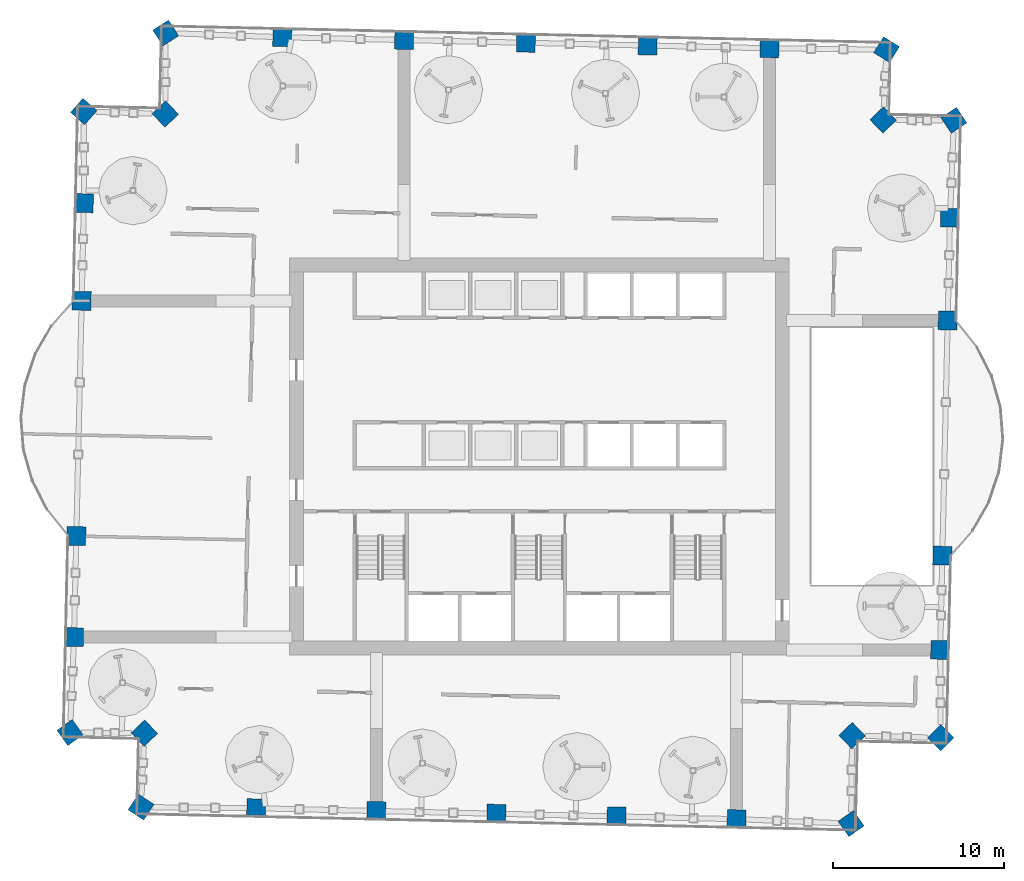
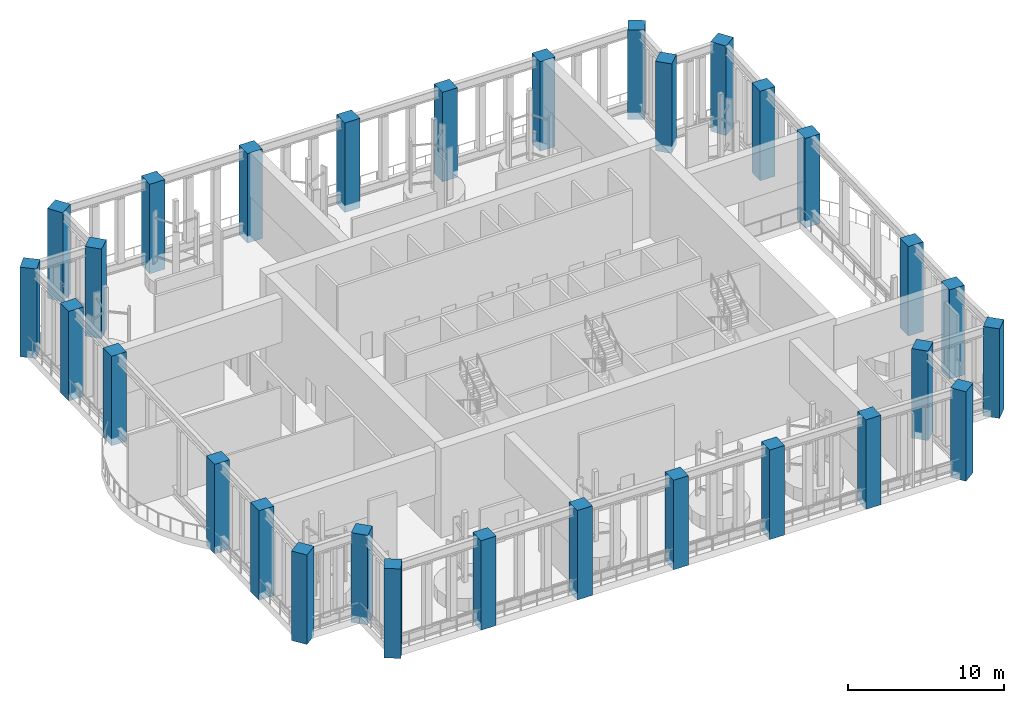
# One storey, part 1 of 33: 30 columns.
"""IFC4 building model written with IfcOpenShell, lengths in metres."""

from ifc_helpers import new_model, si_unit, direction, frame, origin, origin_2d, place, context, subcontext, project, spatial, rectangle, extrude, material, material_profile, profile_set, type_object, element, save


model = new_model("IFC4")

# Units and contexts
model_context = context("Model", 3, precision=1e-05, world=origin(), true_north=direction((0.0, 1.0)))
body_context = subcontext(model_context, "Body", "Model", "MODEL_VIEW")
ifc_project = project(units=[si_unit("LENGTHUNIT", "METRE"), si_unit("AREAUNIT", "SQUARE_METRE"), si_unit("VOLUMEUNIT", "CUBIC_METRE"), si_unit("PLANEANGLEUNIT", "RADIAN"), si_unit("MASSUNIT", "GRAM", prefix="KILO")], contexts=[model_context])

# Site, building, storey
site_placement = place(None, origin())
site = spatial("IfcSite", under=ifc_project, at=site_placement, CompositionType="ELEMENT")
building_placement = place(site_placement, origin())
building = spatial("IfcBuilding", under=site, at=building_placement, Name="Mangrove Gate Tower", CompositionType="ELEMENT")
storey_placement = place(building_placement, frame((0.0, 0.0, 219.5)))
storey = spatial("IfcBuildingStorey", under=building, at=storey_placement, Name="L56", CompositionType="ELEMENT", Elevation=219.5)

# Columns
ifc_material = material(Name="Concrete C60/75", Category="concrete")
ifc_material_profile = material_profile(ifc_material, rectangle(XDim=1.10009765625, YDim=1.10009765625, at=origin_2d()))
ifc_profile_set = profile_set([ifc_material_profile], Name="Concrete C60/75")
column_type = type_object("IfcColumnType", Name="Column RC 1100x1100 C60/75", PredefinedType="COLUMN", material=ifc_profile_set)
for number, where, z_axis, x_axis, name in (
    (1, (-27.071044921875, -4.6494140625, -0.550048828125), (0.0, 0.0, 1.0), (-0.02268213383, -0.999742727308, 0.0), "Column L56 W05"),
    (2, (-27.205078125, -10.5595703125, -0.550048828125), (0.0, 0.0, 1.0), (-0.022750219004, -0.999741180274, 0.0), "Column L56 W06"),
    (3, (-27.44140625, -16.139892578125, -0.550048828125), (0.0, 0.0, 1.0), (0.578578159923, -0.815626944663, 0.0), "Column L56 W07"),
    (4, (-23.09326171875, -16.177978515625, -0.550048828125), (0.0, 0.0, 1.0), (0.690854032309, -0.722994264183, 0.0), "Column L56 W08"),
    (5, (-23.28857421875, -20.49755859375, -0.550048828125), (0.0, 0.0, 1.0), (0.835228982997, -0.549902305834, 0.0), "Column L56 S01"),
    (6, (-16.555419921875, -20.566162109375, -0.550048828125), (0.0, 0.0, 1.0), (0.999742166043, -0.022706858776, 0.0), "Column L56 S02"),
    (7, (-9.533447265625, -20.72607421875, -0.550048828125), (0.0, 0.0, 1.0), (0.999742129581, -0.022708464065, 0.0), "Column L56 S03"),
    (8, (-2.511474609375, -20.88525390625, -0.550048828125), (0.0, 0.0, 1.0), (0.999743742918, -0.022637325283, 0.0), "Column L56 S04"),
    (9, (4.510498046875, -21.044189453125, -0.550048828125), (0.0, 0.0, 1.0), (0.999742129581, -0.022708464065, 0.0), "Column L56 S05"),
    (10, (11.532470703125, -21.2041015625, -0.550048828125), (0.0, 0.0, 1.0), (0.999742166043, -0.022706858776, 0.0), "Column L56 S06"),
    (11, (18.225830078125, -21.463623046875, -0.550048828125), (0.0, 0.0, 1.0), (0.817005906944, 0.576629298612, 0.0), "Column L56 S07"),
    (12, (18.281005859375, -16.31640625, -0.550048828125), (0.0, 0.0, 1.0), (0.722904645442, 0.690947808158, 0.0), "Column L56 E01"),
    (13, (23.467529296875, -16.445556640625, -0.550048828125), (0.0, 0.0, 1.0), (0.702472771276, 0.711710619294, 0.0), "Column L56 E02"),
    (14, (23.43408203125, -11.30859375, -0.550048828125), (0.0, 0.0, 1.0), (0.022678138054, 0.999742817956, 0.0), "Column L56 E03"),
    (15, (23.55908203125, -5.798583984375, -0.550048828125), (0.0, 0.0, 1.0), (0.022686024913, 0.999742639019, 0.0), "Column L56 E04"),
    (16, (23.87109375, 7.949462890625, -0.550048828125), (0.0, 0.0, 1.0), (0.022719107826, 0.999741887759, 0.0), "Column L56 E05"),
    (17, (24.008056640625, 13.95947265625, -0.550048828125), (0.0, 0.0, 1.0), (0.022704398496, 0.99974222192, 0.0), "Column L56 E06"),
    (18, (24.236083984375, 19.6533203125, -0.550048828125), (0.0, 0.0, 1.0), (-0.553976303186, 0.832532435109, 0.0), "Column L56 E07"),
    (19, (20.097412109375, 19.673095703125, -0.550048828125), (0.0, 0.0, 1.0), (-0.69093208713, 0.722919671176, 0.0), "Column L56 E08"),
    (20, (20.300048828125, 23.78466796875, -0.550048828125), (0.0, 0.0, 1.0), (-0.849671924518, 0.527311692157, 0.0), "Column L56 N01"),
    (21, (13.45556640625, 23.8642578125, -0.550048828125), (0.0, 0.0, 1.0), (-0.999741400599, 0.022740534932, 0.0), "Column L56 N02"),
    (22, (6.33349609375, 24.026123046875, -0.550048828125), (0.0, 0.0, 1.0), (-0.999742993665, 0.022670390785, 0.0), "Column L56 N03"),
    (23, (-0.78857421875, 24.187255859375, -0.550048828125), (0.0, 0.0, 1.0), (-0.999742993665, 0.022670390785, 0.0), "Column L56 N04"),
    (24, (-7.910400390625, 24.34912109375, -0.550048828125), (0.0, 0.0, 1.0), (-0.999742993665, 0.022670390785, 0.0), "Column L56 N05"),
    (25, (-15.032470703125, 24.51025390625, -0.550048828125), (0.0, 0.0, 1.0), (-0.999742993665, 0.022670390785, 0.0), "Column L56 N06"),
    (26, (-21.84521484375, 24.759033203125, -0.550048828125), (0.0, 0.0, 1.0), (-0.841786903105, -0.539809975603, 0.0), "Column L56 N07"),
    (27, (-21.87109375, 20.025390625, -0.550048828125), (0.0, 0.0, 1.0), (-0.722980880026, -0.690868038859, 0.0), "Column L56 W01"),
    (28, (-26.636962890625, 20.168701171875, -0.550048828125), (0.0, 0.0, 1.0), (-0.660570488369, -0.750764030769, 0.0), "Column L56 W02"),
    (29, (-26.630126953125, 14.80859375, -0.550048828125), (0.0, 0.0, 1.0), (-0.022671699445, -0.999742963988, 0.0), "Column L56 W03"),
    (30, (-26.759033203125, 9.0986328125, -0.550048828125), (0.0, 0.0, 1.0), (-0.022658386004, -0.999743265816, 0.0), "Column L56 W04"),
):
    element("IfcColumn", number, at=place(storey_placement, frame(where, z_axis=z_axis, x_axis=x_axis)), inside=storey, type_object=column_type, Name=name, PredefinedType="COLUMN", context=body_context, shape_type="SweptSolid", body=[
        extrude(rectangle(XDim=1.10009765625, YDim=1.10009765625, at=origin_2d()), origin(), (0.0, 0.0, 1.0), 7.0),
    ])

save(model, "model.ifc")
